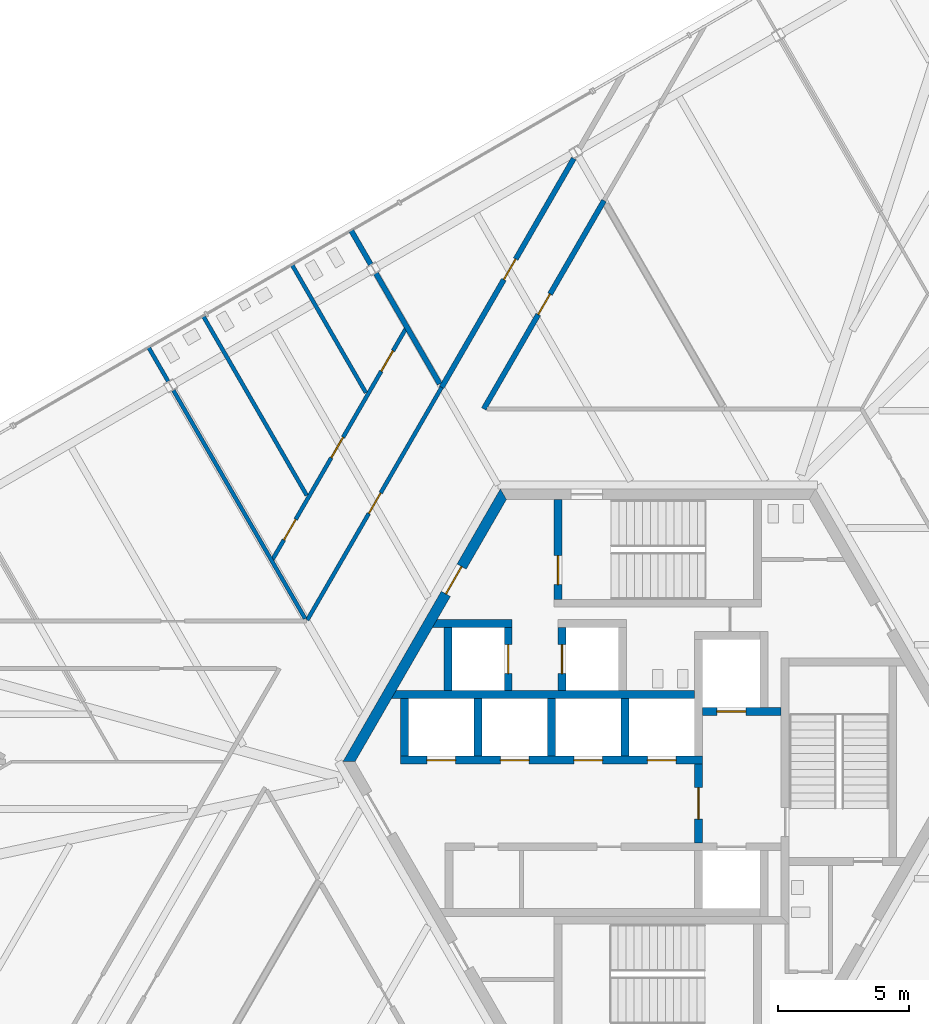
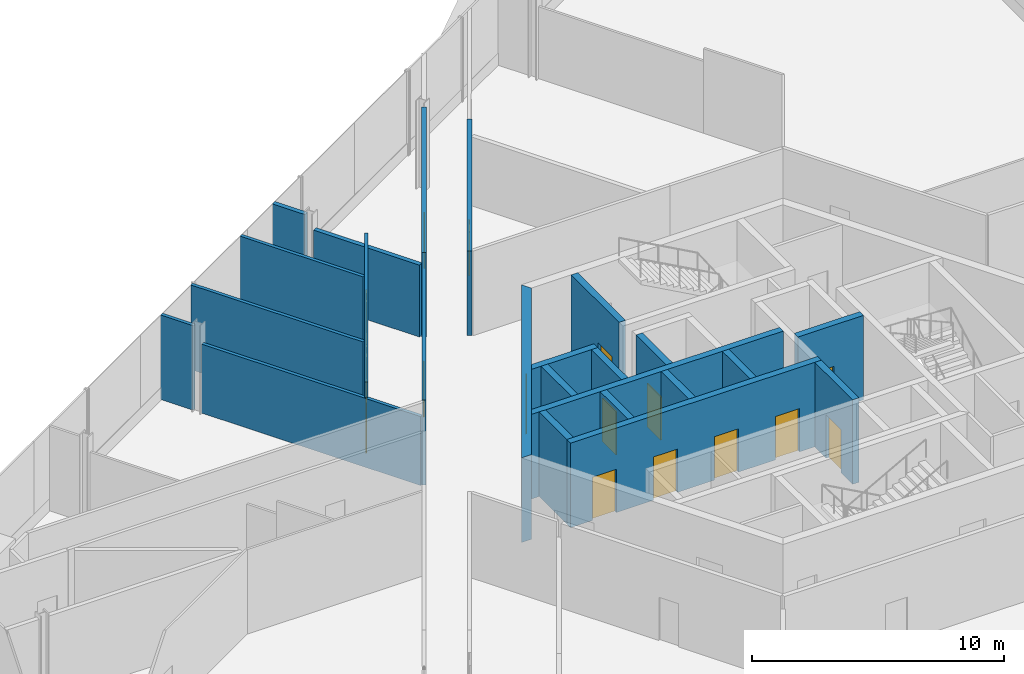
# One storey, part 13 of 17: 24 walls, 16 doors, 16 openings.
"""IFC4 building model written with IfcOpenShell, lengths in metres."""

from ifc_helpers import new_model, si_unit, direction, frame, frame_2d, origin, place, context, subcontext, project, spatial, polyline, rectangle, outline, extrude, source, transform, mapped, material, layer, layer_set, type_object, element, fill, save


model = new_model("IFC4")

# Units and contexts
model_context = context("Model", 3, precision=1e-05, world=origin(), true_north=direction((0.0, 1.0)))
body_context = subcontext(model_context, "Body", "Model", "MODEL_VIEW")
ifc_project = project(units=[si_unit("LENGTHUNIT", "METRE"), si_unit("AREAUNIT", "SQUARE_METRE"), si_unit("VOLUMEUNIT", "CUBIC_METRE"), si_unit("PLANEANGLEUNIT", "RADIAN"), si_unit("MASSUNIT", "GRAM", prefix="KILO")], contexts=[model_context])

# Site, building, storey
site_placement = place(None, origin())
site = spatial("IfcSite", under=ifc_project, at=site_placement, CompositionType="ELEMENT")
building_placement = place(site_placement, origin())
building = spatial("IfcBuilding", under=site, at=building_placement, Name="Triune Harvest Tower", CompositionType="ELEMENT")
storey_placement = place(building_placement, frame((0.0, 0.0, 46.10009765625)))
storey = spatial("IfcBuildingStorey", under=building, at=storey_placement, Name="L10", CompositionType="ELEMENT", Elevation=46.10009765625)

# Walls
ifc_material_1 = material(Name="Gypsum board on steel studs", Category="steel")
ifc_layer_1 = layer(ifc_material_1, 0.14990234375)
ifc_layer_set_1 = layer_set([ifc_layer_1], Name="Gypsum board on steel studs")
wall_type_1 = type_object("IfcWallType", Name="Fire Partition 150 mm", PredefinedType="PARTITIONING", material=ifc_layer_set_1)
wall_1_placement = place(storey_placement, frame((-19.40185546875, 15.78515625, 0.0), z_axis=(0.0, 0.0, 1.0), x_axis=(0.499976292358, -0.866039090965, 0.0)))
element("IfcWall", 1, at=wall_1_placement, inside=storey, type_object=wall_type_1, Name="Partition L10 006", PredefinedType="PARTITIONING", context=body_context, shape_type="SweptSolid", body=[
    extrude(rectangle(XDim=1.49853515625, YDim=0.14990234375, at=frame_2d((0.749267578125, 0.0))), origin(), (0.0, 0.0, 1.0), 4.099853515625),
])
wall_2_placement = place(storey_placement, frame((-18.45947265625, 14.152587890625, 0.0), z_axis=(0.0, 0.0, 1.0), x_axis=(0.500006371327, -0.866021725266, 0.0)))
element("IfcWall", 2, at=wall_2_placement, inside=storey, type_object=wall_type_1, Name="Partition L10 007", PredefinedType="PARTITIONING", context=body_context, shape_type="SweptSolid", body=[
    extrude(rectangle(XDim=10.048583984375, YDim=0.14990234375, at=frame_2d((5.0244140625, 0.0))), origin(), (0.0, 0.0, 1.0), 3.343017578125),
])
wall_3_placement = place(storey_placement, frame((-17.323486328125, 16.985107421875, 0.0), z_axis=(0.0, 0.0, 1.0), x_axis=(0.500001837861, -0.866024342692, 0.0)))
element("IfcWall", 3, at=wall_3_placement, inside=storey, type_object=wall_type_1, Name="Partition L10 008", PredefinedType="PARTITIONING", context=body_context, shape_type="SweptSolid", body=[
    extrude(rectangle(XDim=7.89208984375, YDim=0.14990234375, at=frame_2d((3.946044921875, 0.0))), origin(), (0.0, 0.0, 1.0), 4.099853515625),
])
wall_4_placement = place(storey_placement, frame((-13.94091796875, 18.938232421875, 0.0), z_axis=(0.0, 0.0, 1.0), x_axis=(0.500009875128, -0.866019702301, 0.0)))
element("IfcWall", 4, at=wall_4_placement, inside=storey, type_object=wall_type_1, Name="Partition L10 009", PredefinedType="PARTITIONING", context=body_context, shape_type="SweptSolid", body=[
    extrude(rectangle(XDim=5.63720703125, YDim=0.14990234375, at=frame_2d((2.818603515625, 0.0))), origin(), (0.0, 0.0, 1.0), 4.099853515625),
])

# Wall, opening, door
wall_5_placement = place(storey_placement, frame((-13.35498046875, 5.398193359375, 0.0), z_axis=(0.0, 0.0, 1.0), x_axis=(0.499984682238, 0.866034247318, 0.0)))
wall_5 = element("IfcWall", 5, at=wall_5_placement, inside=storey, type_object=wall_type_1, Name="Partition L10 056", PredefinedType="PARTITIONING", context=body_context, shape_type="SweptSolid", body=[
    extrude(rectangle(XDim=10.235107421875, YDim=0.14990234375, at=frame_2d((5.11767578125, 0.0))), origin(), (0.0, 0.0, 1.0), 4.099853515625),
])
opening_1_placement = place(wall_5_placement, frame((4.6884765625, 0.0, 0.0)))
opening_1 = element("IfcOpeningElement", 6, at=opening_1_placement, cuts=wall_5, Name="Opening L10-010", PredefinedType="OPENING", context=body_context, shape_type="SweptSolid", body=[
    extrude(rectangle(XDim=0.89990234375, YDim=2.10009765625, at=frame_2d((0.449951171875, 1.050048828125))), frame((0.0, 0.0849609375, 0.0), z_axis=(0.0, -1.0, 0.0), x_axis=(1.0, 0.0, 0.0)), (0.0, 0.0, 1.0), 0.169921875),
])
ifc_material_2 = material(Name="Timber and steel door set", Category="steel")
door_type_1 = type_object("IfcDoorType", Name="Single leaf door FD30 right hand 900 x 2100", OperationType="SINGLE_SWING_RIGHT", PredefinedType="DOOR", material=ifc_material_2)
door_1_placement = place(opening_1_placement, origin())
door_1 = element("IfcDoor", 7, at=door_1_placement, inside=storey, type_object=door_type_1, Name="Door L10-010 WC lobby 10.10", OperationType="SINGLE_SWING_RIGHT", OverallHeight=2.10009765625, OverallWidth=0.89990234375, PredefinedType="DOOR", context=body_context, shape_type="SweptSolid", body=[
    extrude(rectangle(XDim=0.89990234375, YDim=2.10009765625, at=frame_2d((0.449951171875, 1.050048828125))), frame((0.0, 0.02490234375, 0.0), z_axis=(0.0, -1.0, 0.0), x_axis=(1.0, 0.0, 0.0)), (0.0, 0.0, 1.0), 0.050048828125),
])
fill(opening_1, door_1)

# Wall, openings, doors
wall_6_placement = place(storey_placement, frame((-14.7080078125, 7.655029296875, 0.0), z_axis=(0.0, 0.0, 1.0), x_axis=(0.500000437373, 0.866025151267, 0.0)))
wall_6 = element("IfcWall", 8, at=wall_6_placement, inside=storey, type_object=wall_type_1, Name="Partition L10 059", PredefinedType="PARTITIONING", context=body_context, shape_type="SweptSolid", body=[
    extrude(rectangle(XDim=10.28857421875, YDim=0.14990234375, at=frame_2d((5.144287109375, 0.0))), origin(), (0.0, 0.0, 1.0), 4.099853515625),
])
opening_2_placement = place(wall_6_placement, frame((8.338134765625, 0.0, 0.0)))
opening_2 = element("IfcOpeningElement", 9, at=opening_2_placement, cuts=wall_6, Name="Opening L10-011", PredefinedType="OPENING", context=body_context, shape_type="SweptSolid", body=[
    extrude(rectangle(XDim=0.89990234375, YDim=2.10009765625, at=frame_2d((0.449951171875, 1.050048828125))), frame((0.0, 0.0849609375, 0.0), z_axis=(0.0, -1.0, 0.0), x_axis=(1.0, 0.0, 0.0)), (0.0, 0.0, 1.0), 0.169921875),
])
opening_3_placement = place(wall_6_placement, frame((4.531494140625, 0.0, 0.0)))
opening_3 = element("IfcOpeningElement", 10, at=opening_3_placement, cuts=wall_6, Name="Opening L10-012", PredefinedType="OPENING", context=body_context, shape_type="SweptSolid", body=[
    extrude(rectangle(XDim=0.89990234375, YDim=2.10009765625, at=frame_2d((0.449951171875, 1.050048828125))), frame((0.0, 0.0849609375, 0.0), z_axis=(0.0, -1.0, 0.0), x_axis=(1.0, 0.0, 0.0)), (0.0, 0.0, 1.0), 0.169921875),
])
opening_4_placement = place(wall_6_placement, frame((0.921142578125, 0.0, 0.0)))
opening_4 = element("IfcOpeningElement", 11, at=opening_4_placement, cuts=wall_6, Name="Opening L10-013", PredefinedType="OPENING", context=body_context, shape_type="SweptSolid", body=[
    extrude(rectangle(XDim=0.89990234375, YDim=2.10009765625, at=frame_2d((0.449951171875, 1.050048828125))), frame((0.0, 0.0849609375, 0.0), z_axis=(0.0, -1.0, 0.0), x_axis=(1.0, 0.0, 0.0)), (0.0, 0.0, 1.0), 0.169921875),
])
ifc_material_3 = material(Name="Timber and steel door set", Category="steel")
door_type_2 = type_object("IfcDoorType", Name="Single leaf door FD30 left hand 900 x 2100", OperationType="SINGLE_SWING_LEFT", PredefinedType="DOOR", material=ifc_material_3)
door_2_placement = place(opening_3_placement, origin())
door_2 = element("IfcDoor", 12, at=door_2_placement, inside=storey, type_object=door_type_2, Name="Door L10-012 Men's WC 10.12", OperationType="SINGLE_SWING_LEFT", OverallHeight=2.10009765625, OverallWidth=0.89990234375, PredefinedType="DOOR", context=body_context, shape_type="SweptSolid", body=[
    extrude(rectangle(XDim=0.89990234375, YDim=2.10009765625, at=frame_2d((0.449951171875, 1.050048828125))), frame((0.0, 0.02490234375, 0.0), z_axis=(0.0, -1.0, 0.0), x_axis=(1.0, 0.0, 0.0)), (0.0, 0.0, 1.0), 0.050048828125),
])
fill(opening_3, door_2)
door_3_placement = place(opening_4_placement, origin())
door_3 = element("IfcDoor", 13, at=door_3_placement, inside=storey, type_object=door_type_2, Name="Door L10-013 Accessible WC 10.13", OperationType="SINGLE_SWING_LEFT", OverallHeight=2.10009765625, OverallWidth=0.89990234375, PredefinedType="DOOR", context=body_context, shape_type="SweptSolid", body=[
    extrude(rectangle(XDim=0.89990234375, YDim=2.10009765625, at=frame_2d((0.449951171875, 1.050048828125))), frame((0.0, 0.02490234375, 0.0), z_axis=(0.0, -1.0, 0.0), x_axis=(1.0, 0.0, 0.0)), (0.0, 0.0, 1.0), 0.050048828125),
])
fill(opening_4, door_3)
door_4_placement = place(opening_2_placement, origin())
door_4 = element("IfcDoor", 14, at=door_4_placement, inside=storey, type_object=door_type_1, Name="Door L10-011 Women's WC 10.11", OperationType="SINGLE_SWING_RIGHT", OverallHeight=2.10009765625, OverallWidth=0.89990234375, PredefinedType="DOOR", context=body_context, shape_type="SweptSolid", body=[
    extrude(rectangle(XDim=0.89990234375, YDim=2.10009765625, at=frame_2d((0.449951171875, 1.050048828125))), frame((0.0, 0.02490234375, 0.0), z_axis=(0.0, -1.0, 0.0), x_axis=(1.0, 0.0, 0.0)), (0.0, 0.0, 1.0), 0.050048828125),
])
fill(opening_2, door_4)

# Wall
ifc_material_4 = material(Name="Gypsum board on steel studs", Category="steel")
ifc_layer_2 = layer(ifc_material_4, 0.199951171875)
ifc_layer_set_2 = layer_set([ifc_layer_2], Name="Gypsum board on steel studs")
wall_type_2 = type_object("IfcWallType", Name="Fire Wall 200 mm", PredefinedType="PARTITIONING", material=ifc_layer_set_2)
wall_7_placement = place(storey_placement, frame((-10.7431640625, 18.607666015625, 0.0), z_axis=(0.0, 0.0, 1.0), x_axis=(0.500030907386, -0.866007558661, 0.0)))
element("IfcWall", 15, at=wall_7_placement, inside=storey, type_object=wall_type_2, Name="Partition L10 011", PredefinedType="PARTITIONING", context=body_context, shape_type="SweptSolid", body=[
    extrude(rectangle(XDim=4.864501953125, YDim=0.199951171875, at=frame_2d((2.43212890625, 0.0))), origin(), (0.0, 0.0, 1.0), 3.48779296875),
])

# Wall, opening, door
wall_8_placement = place(storey_placement, frame((-6.63232421875, 13.442138671875, 0.0), z_axis=(0.0, 0.0, 1.0), x_axis=(0.499984603534, 0.866034292756, 0.0)))
wall_8 = element("IfcWall", 16, at=wall_8_placement, inside=storey, type_object=wall_type_2, Name="Partition L10 053", PredefinedType="PARTITIONING", context=body_context, shape_type="SweptSolid", body=[
    extrude(rectangle(XDim=9.163330078125, YDim=0.199951171875, at=frame_2d((4.58154296875, 0.0))), origin(), (0.0, 0.0, 1.0), 4.099853515625),
])
opening_5_placement = place(wall_8_placement, frame((4.150146484375, 0.0, 0.0)))
opening_5 = element("IfcOpeningElement", 17, at=opening_5_placement, cuts=wall_8, Name="Opening L10-009", PredefinedType="OPENING", context=body_context, shape_type="SweptSolid", body=[
    extrude(rectangle(XDim=0.89990234375, YDim=2.10009765625, at=frame_2d((0.449951171875, 1.050048828125))), frame((0.0, 0.10986328125, 0.0), z_axis=(0.0, -1.0, 0.0), x_axis=(1.0, 0.0, 0.0)), (0.0, 0.0, 1.0), 0.219970703125),
])
ifc_material_5 = material(Name="Timber and steel door set", Category="steel")
door_type_3 = type_object("IfcDoorType", Name="Single leaf door FD60 left hand 900 x 2100", OperationType="SINGLE_SWING_LEFT", PredefinedType="DOOR", material=ifc_material_5)
door_5_placement = place(opening_5_placement, origin())
door_5 = element("IfcDoor", 18, at=door_5_placement, inside=storey, type_object=door_type_3, Name="Door L10-009 Pump Room 10.09", OperationType="SINGLE_SWING_LEFT", OverallHeight=2.10009765625, OverallWidth=0.89990234375, PredefinedType="DOOR", context=body_context, shape_type="SweptSolid", body=[
    extrude(rectangle(XDim=0.89990234375, YDim=2.10009765625, at=frame_2d((0.449951171875, 1.050048828125))), frame((0.0, 0.02490234375, 0.0), z_axis=(0.0, -1.0, 0.0), x_axis=(1.0, 0.0, 0.0)), (0.0, 0.0, 1.0), 0.050048828125),
])
fill(opening_5, door_5)

wall_9_placement = place(storey_placement, frame((-8.237548828125, 14.26220703125, 0.0), z_axis=(0.0, 0.0, 1.0), x_axis=(0.500019063067, 0.866014397438, 0.0)))
wall_9 = element("IfcWall", 19, at=wall_9_placement, inside=storey, type_object=wall_type_2, Name="Partition L10 057", PredefinedType="PARTITIONING", context=body_context, shape_type="SweptSolid", body=[
    extrude(rectangle(XDim=10.06982421875, YDim=0.199951171875, at=frame_2d((5.034912109375, 0.0))), origin(), (0.0, 0.0, 1.0), 4.099853515625),
])
opening_6_placement = place(wall_9_placement, frame((4.74169921875, 0.0, 0.0)))
opening_6 = element("IfcOpeningElement", 20, at=opening_6_placement, cuts=wall_9, Name="Opening L10-008", PredefinedType="OPENING", context=body_context, shape_type="SweptSolid", body=[
    extrude(rectangle(XDim=0.89990234375, YDim=2.10009765625, at=frame_2d((0.449951171875, 1.050048828125))), frame((0.0, 0.10986328125, 0.0), z_axis=(0.0, -1.0, 0.0), x_axis=(1.0, 0.0, 0.0)), (0.0, 0.0, 1.0), 0.219970703125),
])
ifc_material_6 = material(Name="Timber and steel door set", Category="steel")
door_type_4 = type_object("IfcDoorType", Name="Single leaf door FD60 right hand 900 x 2100", OperationType="SINGLE_SWING_RIGHT", PredefinedType="DOOR", material=ifc_material_6)
door_6_placement = place(opening_6_placement, origin())
door_6 = element("IfcDoor", 21, at=door_6_placement, inside=storey, type_object=door_type_4, Name="Door L10-008 Pump Room 10.08", OperationType="SINGLE_SWING_RIGHT", OverallHeight=2.10009765625, OverallWidth=0.89990234375, PredefinedType="DOOR", context=body_context, shape_type="SweptSolid", body=[
    extrude(rectangle(XDim=0.89990234375, YDim=2.10009765625, at=frame_2d((0.449951171875, 1.050048828125))), frame((0.0, 0.02490234375, 0.0), z_axis=(0.0, -1.0, 0.0), x_axis=(1.0, 0.0, 0.0)), (0.0, 0.0, 1.0), 0.050048828125),
])
fill(opening_6, door_6)

ifc_material_7 = material(Name="Concrete 70 MPa", Category="concrete")
ifc_layer_3 = layer(ifc_material_7, 0.39990234375)
ifc_layer_set_3 = layer_set([ifc_layer_3], Name="Concrete 70 MPa")
wall_type_3 = type_object("IfcWallType", Name="Core wall 400", PredefinedType="SHEAR", material=ifc_layer_set_3)
shared_shape_1 = source(origin(), body_context, "Body", "SweptSolid", [
    extrude(outline(polyline([(-0.115478515625, -0.199951171875), (11.884521484375, -0.199951171875), (11.653564453125, 0.199951171875), (0.115478515625, 0.199951171875), (-0.115478515625, -0.199951171875)])), origin(), (0.0, 0.0, 1.0), 4.099853515625),
])
wall_10_placement = place(storey_placement, frame((-5.884521484375, 10.1923828125, 0.0), z_axis=(0.0, 0.0, 1.0), x_axis=(-0.499996592174, -0.866027371285, 0.0)))
wall_10 = element("IfcWall", 22, at=wall_10_placement, inside=storey, type_object=wall_type_3, Name="Hexagon 2 wall", PredefinedType="SHEAR", context=body_context, shape_type="MappedRepresentation", body=[
    mapped(shared_shape_1, transform((0.0, 0.0, 0.0), scale=1.0)),
])
opening_7_placement = place(wall_10_placement, frame((3.1845703125, 0.0, 0.0)))
opening_7 = element("IfcOpeningElement", 23, at=opening_7_placement, cuts=wall_10, Name="Opening CD-SVP", PredefinedType="OPENING", context=body_context, shape_type="SweptSolid", body=[
    extrude(rectangle(XDim=1.199951171875, YDim=2.10009765625, at=frame_2d((0.60009765625, 1.050048828125))), frame((0.0, 0.2099609375, 0.0), z_axis=(0.0, -1.0, 0.0), x_axis=(1.0, 0.0, 0.0)), (0.0, 0.0, 1.0), 0.419921875),
])
ifc_material_8 = material(Name="Steel S235", Category="steel")
door_type_5 = type_object("IfcDoorType", Name="Service door 1200 FD120", OperationType="SINGLE_SWING_LEFT", PredefinedType="DOOR", material=ifc_material_8)
door_7_placement = place(opening_7_placement, frame((1.199951171875, 0.0, 0.0), z_axis=(0.0, 0.0, 1.0), x_axis=(-1.0, 0.0, 0.0)))
door_7 = element("IfcDoor", 24, at=door_7_placement, inside=storey, type_object=door_type_5, Name="Door CD-SVP", OperationType="SINGLE_SWING_RIGHT", OverallHeight=2.10009765625, OverallWidth=1.199951171875, PredefinedType="DOOR", context=body_context, shape_type="SweptSolid", body=[
    extrude(rectangle(XDim=1.199951171875, YDim=2.10009765625, at=frame_2d((0.60009765625, 1.050048828125))), frame((0.0, 0.02490234375, 0.0), z_axis=(0.0, -1.0, 0.0), x_axis=(1.0, 0.0, 0.0)), (0.0, 0.0, 1.0), 0.050048828125),
])
fill(opening_7, door_7)

# Wall, openings, doors
ifc_material_9 = material(Name="Concrete 70 MPa", Category="concrete")
ifc_layer_4 = layer(ifc_material_9, 0.300048828125)
ifc_layer_set_4 = layer_set([ifc_layer_4], Name="Concrete 70 MPa")
wall_type_4 = type_object("IfcWallType", Name="Core wall 300", PredefinedType="SHEAR", material=ifc_layer_set_4)
shared_shape_2 = source(origin(), body_context, "Body", "SweptSolid", [
    extrude(rectangle(XDim=11.5, YDim=0.300048828125, at=frame_2d((5.75, 0.0))), origin(), (0.0, 0.0, 1.0), 4.099853515625),
])
wall_11_placement = place(storey_placement, frame((-9.800048828125, 0.06005859375, 0.0), z_axis=(0.0, 0.0, 1.0), x_axis=(1.0, 0.0, 0.0)))
wall_11 = element("IfcWall", 25, at=wall_11_placement, inside=storey, type_object=wall_type_4, Name="North front wall", PredefinedType="SHEAR", context=body_context, shape_type="MappedRepresentation", body=[
    mapped(shared_shape_2, transform((0.0, 0.0, 0.0), scale=1.0)),
])
opening_8_placement = place(wall_11_placement, frame((1.0, 0.0, 0.0)))
opening_8 = element("IfcOpeningElement", 26, at=opening_8_placement, cuts=wall_11, Name="Opening LD-LR1-10", PredefinedType="OPENING", context=body_context, shape_type="SweptSolid", body=[
    extrude(rectangle(XDim=1.10009765625, YDim=2.10009765625, at=frame_2d((0.550048828125, 1.050048828125))), frame((0.0, 0.16015625, 0.0), z_axis=(0.0, -1.0, 0.0), x_axis=(1.0, 0.0, 0.0)), (0.0, 0.0, 1.0), 0.320068359375),
])
opening_9_placement = place(wall_11_placement, frame((3.800048828125, 0.0, 0.0)))
opening_9 = element("IfcOpeningElement", 27, at=opening_9_placement, cuts=wall_11, Name="Opening LD-LR2-10", PredefinedType="OPENING", context=body_context, shape_type="SweptSolid", body=[
    extrude(rectangle(XDim=1.10009765625, YDim=2.10009765625, at=frame_2d((0.550048828125, 1.050048828125))), frame((0.0, 0.16015625, 0.0), z_axis=(0.0, -1.0, 0.0), x_axis=(1.0, 0.0, 0.0)), (0.0, 0.0, 1.0), 0.320068359375),
])
opening_10_placement = place(wall_11_placement, frame((6.60009765625, 0.0, 0.0)))
opening_10 = element("IfcOpeningElement", 28, at=opening_10_placement, cuts=wall_11, Name="Opening LD-LR3-10", PredefinedType="OPENING", context=body_context, shape_type="SweptSolid", body=[
    extrude(rectangle(XDim=1.10009765625, YDim=2.10009765625, at=frame_2d((0.550048828125, 1.050048828125))), frame((0.0, 0.16015625, 0.0), z_axis=(0.0, -1.0, 0.0), x_axis=(1.0, 0.0, 0.0)), (0.0, 0.0, 1.0), 0.320068359375),
])
opening_11_placement = place(wall_11_placement, frame((9.39990234375, 0.0, 0.0)))
opening_11 = element("IfcOpeningElement", 29, at=opening_11_placement, cuts=wall_11, Name="Opening LD-LR4-10", PredefinedType="OPENING", context=body_context, shape_type="SweptSolid", body=[
    extrude(rectangle(XDim=1.10009765625, YDim=2.10009765625, at=frame_2d((0.550048828125, 1.050048828125))), frame((0.0, 0.16015625, 0.0), z_axis=(0.0, -1.0, 0.0), x_axis=(1.0, 0.0, 0.0)), (0.0, 0.0, 1.0), 0.320068359375),
])
ifc_material_10 = material(Name="Stainless steel AISI 304", Category="steel")
door_type_6 = type_object("IfcDoorType", Name="Landing door 1100 x 2100", OperationType="DOUBLE_DOOR_SLIDING", PredefinedType="DOOR", material=ifc_material_10)
door_8_placement = place(opening_8_placement, origin())
door_8 = element("IfcDoor", 30, at=door_8_placement, inside=storey, type_object=door_type_6, Name="Door LD-LR1-10", OperationType="DOUBLE_DOOR_SLIDING", OverallHeight=2.10009765625, OverallWidth=1.10009765625, PredefinedType="DOOR", context=body_context, shape_type="SweptSolid", body=[
    extrude(rectangle(XDim=1.10009765625, YDim=2.10009765625, at=frame_2d((0.550048828125, 1.050048828125))), frame((0.0, 0.02490234375, 0.0), z_axis=(0.0, -1.0, 0.0), x_axis=(1.0, 0.0, 0.0)), (0.0, 0.0, 1.0), 0.050048828125),
])
fill(opening_8, door_8)
door_9_placement = place(opening_9_placement, origin())
door_9 = element("IfcDoor", 31, at=door_9_placement, inside=storey, type_object=door_type_6, Name="Door LD-LR2-10", OperationType="DOUBLE_DOOR_SLIDING", OverallHeight=2.10009765625, OverallWidth=1.10009765625, PredefinedType="DOOR", context=body_context, shape_type="SweptSolid", body=[
    extrude(rectangle(XDim=1.10009765625, YDim=2.10009765625, at=frame_2d((0.550048828125, 1.050048828125))), frame((0.0, 0.02490234375, 0.0), z_axis=(0.0, -1.0, 0.0), x_axis=(1.0, 0.0, 0.0)), (0.0, 0.0, 1.0), 0.050048828125),
])
fill(opening_9, door_9)
door_10_placement = place(opening_10_placement, origin())
door_10 = element("IfcDoor", 32, at=door_10_placement, inside=storey, type_object=door_type_6, Name="Door LD-LR3-10", OperationType="DOUBLE_DOOR_SLIDING", OverallHeight=2.10009765625, OverallWidth=1.10009765625, PredefinedType="DOOR", context=body_context, shape_type="SweptSolid", body=[
    extrude(rectangle(XDim=1.10009765625, YDim=2.10009765625, at=frame_2d((0.550048828125, 1.050048828125))), frame((0.0, 0.02490234375, 0.0), z_axis=(0.0, -1.0, 0.0), x_axis=(1.0, 0.0, 0.0)), (0.0, 0.0, 1.0), 0.050048828125),
])
fill(opening_10, door_10)
door_11_placement = place(opening_11_placement, origin())
door_11 = element("IfcDoor", 33, at=door_11_placement, inside=storey, type_object=door_type_6, Name="Door LD-LR4-10", OperationType="DOUBLE_DOOR_SLIDING", OverallHeight=2.10009765625, OverallWidth=1.10009765625, PredefinedType="DOOR", context=body_context, shape_type="SweptSolid", body=[
    extrude(rectangle(XDim=1.10009765625, YDim=2.10009765625, at=frame_2d((0.550048828125, 1.050048828125))), frame((0.0, 0.02490234375, 0.0), z_axis=(0.0, -1.0, 0.0), x_axis=(1.0, 0.0, 0.0)), (0.0, 0.0, 1.0), 0.050048828125),
])
fill(opening_11, door_11)

# Wall
shared_shape_3 = source(origin(), body_context, "Body", "SweptSolid", [
    extrude(outline(polyline([(11.199951171875, -0.14990234375), (-0.34912109375, -0.14990234375), (-0.17578125, 0.14990234375), (11.199951171875, 0.14990234375), (11.199951171875, -0.14990234375)])), origin(), (0.0, 0.0, 1.0), 4.099853515625),
])
wall_12_placement = place(storey_placement, frame((-9.800048828125, 2.56005859375, 0.0), z_axis=(0.0, 0.0, 1.0), x_axis=(1.0, 0.0, 0.0)))
element("IfcWall", 34, at=wall_12_placement, inside=storey, type_object=wall_type_4, Name="North back wall", PredefinedType="SHEAR", context=body_context, shape_type="MappedRepresentation", body=[
    mapped(shared_shape_3, transform((0.0, 0.0, 0.0), scale=1.0)),
])

# Wall, opening, door
shared_shape_4 = source(origin(), body_context, "Body", "SweptSolid", [
    extrude(rectangle(XDim=3.0, YDim=0.300048828125, at=frame_2d((1.5, 0.0))), origin(), (0.0, 0.0, 1.0), 4.099853515625),
])
wall_13_placement = place(storey_placement, frame((1.699951171875, 1.909912109375, 0.0), z_axis=(0.0, 0.0, 1.0), x_axis=(1.0, 0.0, 0.0)))
wall_13 = element("IfcWall", 35, at=wall_13_placement, inside=storey, type_object=wall_type_4, Name="Ff1 front wall", PredefinedType="SHEAR", context=body_context, shape_type="MappedRepresentation", body=[
    mapped(shared_shape_4, transform((0.0, 0.0, 0.0), scale=1.0)),
])
opening_12_placement = place(wall_13_placement, frame((0.550048828125, 0.0, 0.0)))
opening_12 = element("IfcOpeningElement", 36, at=opening_12_placement, cuts=wall_13, Name="Opening LD-FF1-10", PredefinedType="OPENING", context=body_context, shape_type="SweptSolid", body=[
    extrude(rectangle(XDim=1.10009765625, YDim=2.10009765625, at=frame_2d((0.550048828125, 1.050048828125))), frame((0.0, 0.16015625, 0.0), z_axis=(0.0, -1.0, 0.0), x_axis=(1.0, 0.0, 0.0)), (0.0, 0.0, 1.0), 0.320068359375),
])
door_12_placement = place(opening_12_placement, origin())
door_12 = element("IfcDoor", 37, at=door_12_placement, inside=storey, type_object=door_type_6, Name="Door LD-FF1-10", OperationType="DOUBLE_DOOR_SLIDING", OverallHeight=2.10009765625, OverallWidth=1.10009765625, PredefinedType="DOOR", context=body_context, shape_type="SweptSolid", body=[
    extrude(rectangle(XDim=1.10009765625, YDim=2.10009765625, at=frame_2d((0.550048828125, 1.050048828125))), frame((0.0, 0.02490234375, 0.0), z_axis=(0.0, -1.0, 0.0), x_axis=(1.0, 0.0, 0.0)), (0.0, 0.0, 1.0), 0.050048828125),
])
fill(opening_12, door_12)

wall_14_placement = place(storey_placement, frame((1.550048828125, -3.090087890625, 0.0), z_axis=(0.0, 0.0, 1.0), x_axis=(0.0, 1.0, 0.0)))
wall_14 = element("IfcWall", 38, at=wall_14_placement, inside=storey, type_object=wall_type_4, Name="Ff lobby west wall", PredefinedType="SHEAR", context=body_context, shape_type="MappedRepresentation", body=[
    mapped(shared_shape_4, transform((0.0, 0.0, 0.0), scale=1.0)),
])
opening_13_placement = place(wall_14_placement, frame((0.89990234375, 0.0, 0.0)))
opening_13 = element("IfcOpeningElement", 39, at=opening_13_placement, cuts=wall_14, Name="Opening CD-FL", PredefinedType="OPENING", context=body_context, shape_type="SweptSolid", body=[
    extrude(rectangle(XDim=1.199951171875, YDim=2.10009765625, at=frame_2d((0.60009765625, 1.050048828125))), frame((0.0, 0.16015625, 0.0), z_axis=(0.0, -1.0, 0.0), x_axis=(1.0, 0.0, 0.0)), (0.0, 0.0, 1.0), 0.320068359375),
])
ifc_material_11 = material(Name="Steel S235", Category="steel")
door_type_7 = type_object("IfcDoorType", Name="Firefighters' lobby door 1200 FD120", OperationType="SINGLE_SWING_LEFT", PredefinedType="DOOR", material=ifc_material_11)
door_13_placement = place(opening_13_placement, frame((1.199951171875, 0.0, 0.0), z_axis=(0.0, 0.0, 1.0), x_axis=(-1.0, 0.0, 0.0)))
door_13 = element("IfcDoor", 40, at=door_13_placement, inside=storey, type_object=door_type_7, Name="Door CD-FL", OperationType="SINGLE_SWING_RIGHT", OverallHeight=2.10009765625, OverallWidth=1.199951171875, PredefinedType="DOOR", context=body_context, shape_type="SweptSolid", body=[
    extrude(rectangle(XDim=1.199951171875, YDim=2.10009765625, at=frame_2d((0.60009765625, 1.050048828125))), frame((0.0, 0.02490234375, 0.0), z_axis=(0.0, -1.0, 0.0), x_axis=(1.0, 0.0, 0.0)), (0.0, 0.0, 1.0), 0.050048828125),
])
fill(opening_13, door_13)

# Walls
shared_shape_5 = source(origin(), body_context, "Body", "SweptSolid", [
    extrude(rectangle(XDim=2.199951171875, YDim=0.300048828125, at=frame_2d((1.10009765625, 0.0))), origin(), (0.0, 0.0, 1.0), 4.099853515625),
])
for number, where, z_axis, x_axis, name in (
    (41, (-9.64990234375, 0.2099609375, 0.0), (0.0, 0.0, 1.0), (0.0, 1.0, 0.0), "North end west wall"),
    (42, (-6.85009765625, 0.2099609375, 0.0), (0.0, 0.0, 1.0), (0.0, 1.0, 0.0), "North cross 1 wall"),
    (43, (-4.050048828125, 0.2099609375, 0.0), (0.0, 0.0, 1.0), (0.0, 1.0, 0.0), "North cross 2 wall"),
    (44, (-1.25, 0.2099609375, 0.0), (0.0, 0.0, 1.0), (0.0, 1.0, 0.0), "North cross 3 wall"),
):
    element("IfcWall", number, at=place(storey_placement, frame(where, z_axis=z_axis, x_axis=x_axis)), inside=storey, type_object=wall_type_4, Name=name, PredefinedType="SHEAR", context=body_context, shape_type="MappedRepresentation", body=[
        mapped(shared_shape_5, transform((0.0, 0.0, 0.0), scale=1.0)),
    ])

# Wall, opening, door
shared_shape_6 = source(origin(), body_context, "Body", "SweptSolid", [
    extrude(outline(polyline([(0.0, -0.14990234375), (0.0, 0.14990234375), (3.80419921875, 0.14990234375), (3.80419921875, -0.14990234375), (0.0, -0.14990234375)])), origin(), (0.0, 0.0, 1.0), 4.099853515625),
])
wall_15_placement = place(storey_placement, frame((-3.800048828125, 6.18994140625, 0.0), z_axis=(0.0, 0.0, 1.0), x_axis=(0.0, 1.0, 0.0)))
wall_15 = element("IfcWall", 45, at=wall_15_placement, inside=storey, type_object=wall_type_4, Name="Stair n west wall", PredefinedType="SHEAR", context=body_context, shape_type="MappedRepresentation", body=[
    mapped(shared_shape_6, transform((0.0, 0.0, 0.0), scale=1.0)),
])
opening_14_placement = place(wall_15_placement, frame((0.56005859375, 0.0, 0.0)))
opening_14 = element("IfcOpeningElement", 46, at=opening_14_placement, cuts=wall_15, Name="Opening CD-S1L", PredefinedType="OPENING", context=body_context, shape_type="SweptSolid", body=[
    extrude(rectangle(XDim=1.10009765625, YDim=2.10009765625, at=frame_2d((0.550048828125, 1.050048828125))), frame((0.0, 0.16015625, 0.0), z_axis=(0.0, -1.0, 0.0), x_axis=(1.0, 0.0, 0.0)), (0.0, 0.0, 1.0), 0.320068359375),
])
ifc_material_12 = material(Name="Steel S235", Category="steel")
door_type_8 = type_object("IfcDoorType", Name="Stair door 1100 FD120", OperationType="SINGLE_SWING_LEFT", PredefinedType="DOOR", material=ifc_material_12)
door_14_placement = place(opening_14_placement, frame((1.10009765625, 0.0, 0.0), z_axis=(0.0, 0.0, 1.0), x_axis=(-1.0, 0.0, 0.0)))
door_14 = element("IfcDoor", 47, at=door_14_placement, inside=storey, type_object=door_type_8, Name="Door CD-S1L", OperationType="SINGLE_SWING_RIGHT", OverallHeight=2.10009765625, OverallWidth=1.10009765625, PredefinedType="DOOR", context=body_context, shape_type="SweptSolid", body=[
    extrude(rectangle(XDim=1.10009765625, YDim=2.10009765625, at=frame_2d((0.550048828125, 1.050048828125))), frame((0.0, 0.02490234375, 0.0), z_axis=(0.0, -1.0, 0.0), x_axis=(1.0, 0.0, 0.0)), (0.0, 0.0, 1.0), 0.050048828125),
])
fill(opening_14, door_14)

# Walls
shared_shape_7 = source(origin(), body_context, "Body", "SweptSolid", [
    extrude(outline(polyline([(2.60009765625, -0.14990234375), (-0.440185546875, -0.14990234375), (-0.26708984375, 0.14990234375), (2.60009765625, 0.14990234375), (2.60009765625, -0.14990234375)])), origin(), (0.0, 0.0, 1.0), 4.099853515625),
])
wall_16_placement = place(storey_placement, frame((-8.14990234375, 5.260009765625, 0.0), z_axis=(0.0, 0.0, 1.0), x_axis=(1.0, 0.0, 0.0)))
element("IfcWall", 48, at=wall_16_placement, inside=storey, type_object=wall_type_4, Name="Sv1 north wall", PredefinedType="SHEAR", context=body_context, shape_type="MappedRepresentation", body=[
    mapped(shared_shape_7, transform((0.0, 0.0, 0.0), scale=1.0)),
])
shared_shape_8 = source(origin(), body_context, "Body", "SweptSolid", [
    extrude(rectangle(XDim=2.400146484375, YDim=0.300048828125, at=frame_2d((1.2001953125, 0.0))), origin(), (0.0, 0.0, 1.0), 4.099853515625),
])
wall_17_placement = place(storey_placement, frame((-8.0, 2.7099609375, 0.0), z_axis=(0.0, 0.0, 1.0), x_axis=(0.0, 1.0, 0.0)))
element("IfcWall", 49, at=wall_17_placement, inside=storey, type_object=wall_type_4, Name="Sv1 west wall", PredefinedType="SHEAR", context=body_context, shape_type="MappedRepresentation", body=[
    mapped(shared_shape_8, transform((0.0, 0.0, 0.0), scale=1.0)),
])

# Wall, opening, door
wall_18_placement = place(storey_placement, frame((-5.699951171875, 2.7099609375, 0.0), z_axis=(0.0, 0.0, 1.0), x_axis=(0.0, 1.0, 0.0)))
wall_18 = element("IfcWall", 50, at=wall_18_placement, inside=storey, type_object=wall_type_4, Name="Sv1 east wall", PredefinedType="SHEAR", context=body_context, shape_type="MappedRepresentation", body=[
    mapped(shared_shape_8, transform((0.0, 0.0, 0.0), scale=1.0)),
])
opening_15_placement = place(wall_18_placement, frame((0.64990234375, 0.0, 0.0)))
opening_15 = element("IfcOpeningElement", 51, at=opening_15_placement, cuts=wall_18, Name="Opening LD-SV1-10", PredefinedType="OPENING", context=body_context, shape_type="SweptSolid", body=[
    extrude(rectangle(XDim=1.10009765625, YDim=2.10009765625, at=frame_2d((0.550048828125, 1.050048828125))), frame((0.0, 0.16015625, 0.0), z_axis=(0.0, -1.0, 0.0), x_axis=(1.0, 0.0, 0.0)), (0.0, 0.0, 1.0), 0.320068359375),
])
door_15_placement = place(opening_15_placement, origin())
door_15 = element("IfcDoor", 52, at=door_15_placement, inside=storey, type_object=door_type_6, Name="Door LD-SV1-10", OperationType="DOUBLE_DOOR_SLIDING", OverallHeight=2.10009765625, OverallWidth=1.10009765625, PredefinedType="DOOR", context=body_context, shape_type="SweptSolid", body=[
    extrude(rectangle(XDim=1.10009765625, YDim=2.10009765625, at=frame_2d((0.550048828125, 1.050048828125))), frame((0.0, 0.02490234375, 0.0), z_axis=(0.0, -1.0, 0.0), x_axis=(1.0, 0.0, 0.0)), (0.0, 0.0, 1.0), 0.050048828125),
])
fill(opening_15, door_15)

wall_19_placement = place(storey_placement, frame((-3.64990234375, 2.7099609375, 0.0), z_axis=(0.0, 0.0, 1.0), x_axis=(0.0, 1.0, 0.0)))
wall_19 = element("IfcWall", 53, at=wall_19_placement, inside=storey, type_object=wall_type_4, Name="Sv2 west wall", PredefinedType="SHEAR", context=body_context, shape_type="MappedRepresentation", body=[
    mapped(shared_shape_8, transform((0.0, 0.0, 0.0), scale=1.0)),
])
opening_16_placement = place(wall_19_placement, frame((0.64990234375, 0.0, 0.0)))
opening_16 = element("IfcOpeningElement", 54, at=opening_16_placement, cuts=wall_19, Name="Opening LD-SV2-10", PredefinedType="OPENING", context=body_context, shape_type="SweptSolid", body=[
    extrude(rectangle(XDim=1.10009765625, YDim=2.10009765625, at=frame_2d((0.550048828125, 1.050048828125))), frame((0.0, 0.16015625, 0.0), z_axis=(0.0, -1.0, 0.0), x_axis=(1.0, 0.0, 0.0)), (0.0, 0.0, 1.0), 0.320068359375),
])
door_16_placement = place(opening_16_placement, origin())
door_16 = element("IfcDoor", 55, at=door_16_placement, inside=storey, type_object=door_type_6, Name="Door LD-SV2-10", OperationType="DOUBLE_DOOR_SLIDING", OverallHeight=2.10009765625, OverallWidth=1.10009765625, PredefinedType="DOOR", context=body_context, shape_type="SweptSolid", body=[
    extrude(rectangle(XDim=1.10009765625, YDim=2.10009765625, at=frame_2d((0.550048828125, 1.050048828125))), frame((0.0, 0.02490234375, 0.0), z_axis=(0.0, -1.0, 0.0), x_axis=(1.0, 0.0, 0.0)), (0.0, 0.0, 1.0), 0.050048828125),
])
fill(opening_16, door_16)

# Wall
shared_shape_9 = source(origin(), body_context, "Body", "SweptSolid", [
    extrude(rectangle(XDim=1.49853515625, YDim=0.199951171875, at=frame_2d((0.749267578125, 0.0))), origin(), (0.0, 0.0, 1.0), 4.099853515625),
])
wall_20_placement = place(storey_placement, frame((-11.685546875, 20.240234375, 0.0), z_axis=(0.0, 0.0, 1.0), x_axis=(0.499976292358, -0.866039090965, 0.0)))
element("IfcWall", 56, at=wall_20_placement, inside=storey, type_object=wall_type_2, Name="Partition L10 010", PredefinedType="PARTITIONING", context=body_context, shape_type="MappedRepresentation", body=[
    mapped(shared_shape_9, transform((0.0, 0.0, 0.0), scale=1.0)),
])

save(model, "model.ifc")
